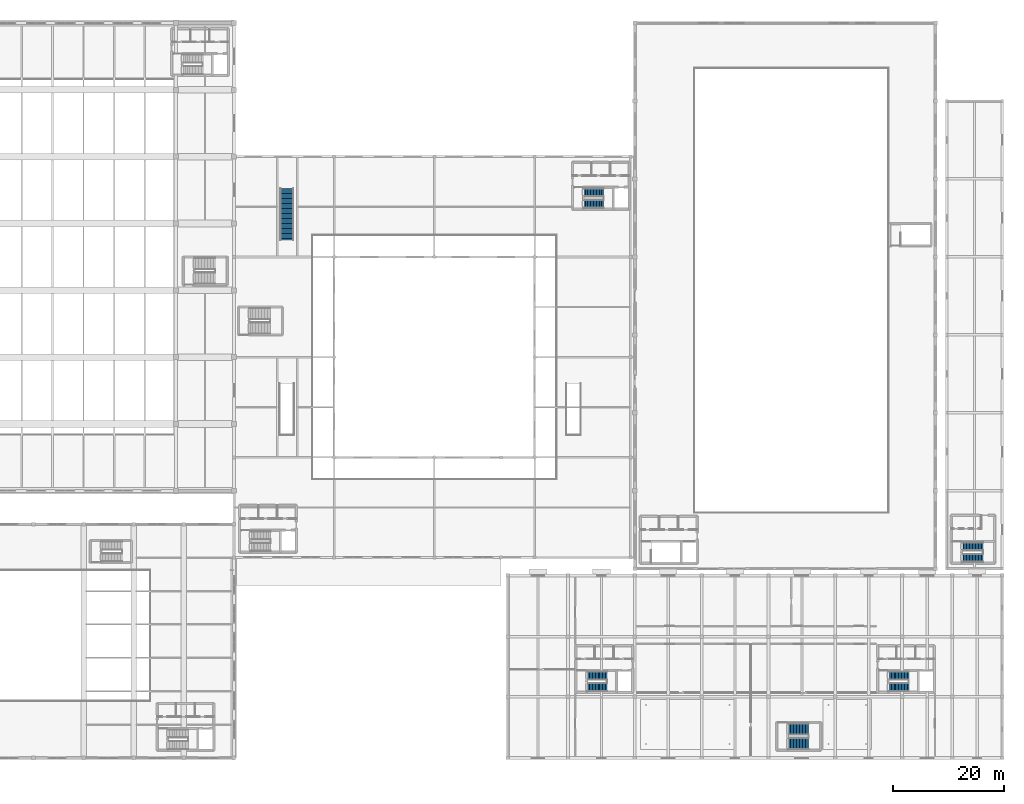
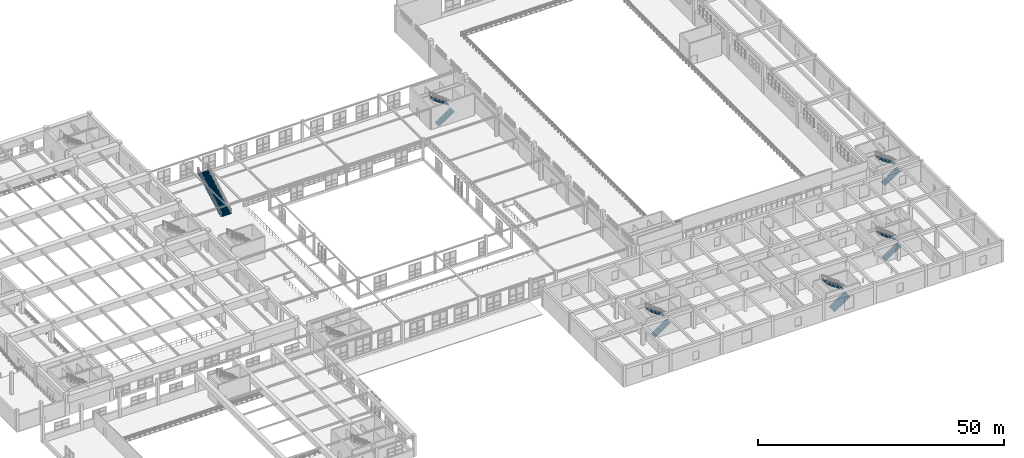
# One storey, part 184 of 197: 11 stair flights, 6 elements without a shape of their own.
"""IFC4 building model written with IfcOpenShell, lengths in metres."""

from ifc_helpers import new_model, si_unit, derived_unit, direction, frame, origin, place, context, subcontext, project, spatial, polyline, outline, extrude, material, type_object, element, aggregate, save


model = new_model("IFC4")

# Units and contexts
model_context = context("Model", 3, precision=1e-05, world=origin(), true_north=direction((0.0, 1.0)))
body_context = subcontext(model_context, "Body", "Model", "MODEL_VIEW")
ifc_project = project(units=[si_unit("LENGTHUNIT", "METRE"), si_unit("AREAUNIT", "SQUARE_METRE"), si_unit("VOLUMEUNIT", "CUBIC_METRE"), si_unit("PLANEANGLEUNIT", "RADIAN"), si_unit("MASSUNIT", "GRAM", prefix="KILO"), derived_unit("THERMALTRANSMITTANCEUNIT", [(si_unit("POWERUNIT", "WATT"), 1), (si_unit("LENGTHUNIT", "METRE"), -2), (si_unit("THERMODYNAMICTEMPERATUREUNIT", "KELVIN"), -1)])], contexts=[model_context])

# Site, building, storey
site_placement = place(None, origin())
site = spatial("IfcSite", under=ifc_project, at=site_placement, CompositionType="ELEMENT")
building_placement = place(site_placement, origin())
building = spatial("IfcBuilding", under=site, at=building_placement, Name="Almenara Railside Exhibition Hall", CompositionType="ELEMENT")
storey_placement = place(building_placement, frame((0.0, 0.0, 5.39990234375)))
storey = spatial("IfcBuildingStorey", under=building, at=storey_placement, Name="L01", CompositionType="ELEMENT", Elevation=5.39990234375)

# Stair, stair flight
ifc_material = material(Name="Concrete C35/45", Category="concrete")
stair_type_1 = type_object("IfcStairType", Name="Concourse Monumental Straight Stair 2400mm", PredefinedType="STRAIGHT_RUN_STAIR", material=ifc_material)
stair_1_placement = place(storey_placement, origin())
stair_1 = element("IfcStair", 1, at=stair_1_placement, inside=storey, type_object=stair_type_1, Name="Monumental concourse stair MS-3", PredefinedType="STRAIGHT_RUN_STAIR")
stair_flight_type_1 = type_object("IfcStairFlightType", Name="Monumental Terrazzo Stair Flight 2400mm C35/45", PredefinedType="STRAIGHT", material=ifc_material)
stair_flight_1_placement = place(storey_placement, frame((75.5, 93.0, 0.0), z_axis=(0.0, 0.0, 1.0), x_axis=(0.0, 1.0, 0.0)))
stair_flight_1 = element("IfcStairFlight", 2, at=stair_flight_1_placement, type_object=stair_flight_type_1, Name="MS-3 flight 1", NumberOfRisers=32, NumberOfTreads=31, PredefinedType="STRAIGHT", RiserHeight=0.16875, TreadLength=0.3, context=body_context, shape_type="SweptSolid", body=[
    extrude(outline(polyline([(0.0, 0.0), (0.0, 0.168701171875), (0.300048828125, 0.168701171875), (0.300048828125, 0.33740234375), (0.60009765625, 0.33740234375), (0.60009765625, 0.50634765625), (0.89990234375, 0.50634765625), (0.89990234375, 0.675048828125), (1.199951171875, 0.675048828125), (1.199951171875, 0.84375), (1.5, 0.84375), (1.5, 1.012451171875), (1.800048828125, 1.012451171875), (1.800048828125, 1.18115234375), (2.10009765625, 1.18115234375), (2.10009765625, 1.35009765625), (2.39990234375, 1.35009765625), (2.39990234375, 1.518798828125), (2.699951171875, 1.518798828125), (2.699951171875, 1.6875), (3.0, 1.6875), (3.0, 1.856201171875), (3.300048828125, 1.856201171875), (3.300048828125, 2.02490234375), (3.60009765625, 2.02490234375), (3.60009765625, 2.19384765625), (3.89990234375, 2.19384765625), (3.89990234375, 2.362548828125), (4.199951171875, 2.362548828125), (4.199951171875, 2.53125), (4.5, 2.53125), (4.5, 2.699951171875), (4.800048828125, 2.699951171875), (4.800048828125, 2.86865234375), (5.10009765625, 2.86865234375), (5.10009765625, 3.03759765625), (5.39990234375, 3.03759765625), (5.39990234375, 3.206298828125), (5.699951171875, 3.206298828125), (5.699951171875, 3.375), (6.0, 3.375), (6.0, 3.543701171875), (6.300048828125, 3.543701171875), (6.300048828125, 3.71240234375), (6.60009765625, 3.71240234375), (6.60009765625, 3.88134765625), (6.89990234375, 3.88134765625), (6.89990234375, 4.050048828125), (7.199951171875, 4.050048828125), (7.199951171875, 4.21875), (7.5, 4.21875), (7.5, 4.387451171875), (7.800048828125, 4.387451171875), (7.800048828125, 4.55615234375), (8.10009765625, 4.55615234375), (8.10009765625, 4.72509765625), (8.39990234375, 4.72509765625), (8.39990234375, 4.893798828125), (8.699951171875, 4.893798828125), (8.699951171875, 5.0625), (9.0, 5.0625), (9.0, 5.231201171875), (9.300048828125, 5.231201171875), (9.300048828125, 5.39990234375), (9.300048828125, 5.059326171875), (0.3056640625, 0.0), (0.0, 0.0)])), frame((0.0, 1.199951171875, 0.0), z_axis=(0.0, -1.0, 0.0), x_axis=(1.0, 0.0, 0.0)), (0.0, 0.0, 1.0), 2.39990234375),
])
aggregate(stair_1, [stair_flight_1])

# Stair, stair flights
stair_type_2 = type_object("IfcStairType", Name="East Core Dog-Leg Stair 1500mm", PredefinedType="TWO_STRAIGHT_RUN_STAIR", material=ifc_material)
stair_2_placement = place(storey_placement, origin())
stair_2 = element("IfcStair", 3, at=stair_2_placement, inside=storey, type_object=stair_type_2, Name="Escape stair ST-C9-L01", PredefinedType="TWO_STRAIGHT_RUN_STAIR")
stair_flight_type_2 = type_object("IfcStairFlightType", Name="Precast Concrete Stair Flight 1500mm C35/45", PredefinedType="STRAIGHT", material=ifc_material)
stair_flight_2_placement = place(storey_placement, frame((196.75, 35.889892578125, 0.0), z_axis=(0.0, 0.0, 1.0), x_axis=(1.0, 0.0, 0.0)))
stair_flight_2 = element("IfcStairFlight", 4, at=stair_flight_2_placement, type_object=stair_flight_type_2, Name="ST-C9-L01 flight 1", NumberOfRisers=15, NumberOfTreads=14, PredefinedType="STRAIGHT", RiserHeight=0.18, TreadLength=0.27, context=body_context, shape_type="SweptSolid", body=[
    extrude(outline(polyline([(0.0, 0.0), (0.0, 0.179931640625), (0.27001953125, 0.179931640625), (0.27001953125, 0.360107421875), (0.5400390625, 0.360107421875), (0.5400390625, 0.5400390625), (0.81005859375, 0.5400390625), (0.81005859375, 0.719970703125), (1.080078125, 0.719970703125), (1.080078125, 0.89990234375), (1.35009765625, 0.89990234375), (1.35009765625, 1.080078125), (1.6201171875, 1.080078125), (1.6201171875, 1.260009765625), (1.889892578125, 1.260009765625), (1.889892578125, 1.43994140625), (2.159912109375, 1.43994140625), (2.159912109375, 1.6201171875), (2.429931640625, 1.6201171875), (2.429931640625, 1.800048828125), (2.699951171875, 1.800048828125), (2.699951171875, 1.97998046875), (2.969970703125, 1.97998046875), (2.969970703125, 2.159912109375), (3.239990234375, 2.159912109375), (3.239990234375, 2.340087890625), (3.510009765625, 2.340087890625), (3.510009765625, 2.52001953125), (3.780029296875, 2.52001953125), (3.780029296875, 2.699951171875), (3.780029296875, 2.33984375), (0.270263671875, 0.0), (0.0, 0.0)])), frame((0.0, 0.75, 0.0), z_axis=(0.0, -1.0, 0.0), x_axis=(1.0, 0.0, 0.0)), (0.0, 0.0, 1.0), 1.5),
])
stair_flight_3_placement = place(storey_placement, frame((200.530029296875, 38.010009765625, 2.7001953125), z_axis=(0.0, 0.0, 1.0), x_axis=(-1.0, 0.0, 0.0)))
stair_flight_3 = element("IfcStairFlight", 5, at=stair_flight_3_placement, type_object=stair_flight_type_2, Name="ST-C9-L01 flight 2", NumberOfRisers=15, NumberOfTreads=14, PredefinedType="STRAIGHT", RiserHeight=0.18, TreadLength=0.27, context=body_context, shape_type="SweptSolid", body=[
    extrude(outline(polyline([(0.0, 0.0), (0.0, 0.179931640625), (0.27001953125, 0.179931640625), (0.27001953125, 0.360107421875), (0.5400390625, 0.360107421875), (0.5400390625, 0.5400390625), (0.81005859375, 0.5400390625), (0.81005859375, 0.719970703125), (1.080078125, 0.719970703125), (1.080078125, 0.89990234375), (1.35009765625, 0.89990234375), (1.35009765625, 1.080078125), (1.6201171875, 1.080078125), (1.6201171875, 1.260009765625), (1.889892578125, 1.260009765625), (1.889892578125, 1.43994140625), (2.159912109375, 1.43994140625), (2.159912109375, 1.6201171875), (2.429931640625, 1.6201171875), (2.429931640625, 1.800048828125), (2.699951171875, 1.800048828125), (2.699951171875, 1.97998046875), (2.969970703125, 1.97998046875), (2.969970703125, 2.159912109375), (3.239990234375, 2.159912109375), (3.239990234375, 2.340087890625), (3.510009765625, 2.340087890625), (3.510009765625, 2.52001953125), (3.780029296875, 2.52001953125), (3.780029296875, 2.699951171875), (3.780029296875, 2.33984375), (0.270263671875, 0.0), (0.0, 0.0)])), frame((0.0, 0.75, 0.0), z_axis=(0.0, -1.0, 0.0), x_axis=(1.0, 0.0, 0.0)), (0.0, 0.0, 1.0), 1.5),
])
aggregate(stair_2, [stair_flight_2, stair_flight_3])

stair_type_3 = type_object("IfcStairType", Name="Core Dog-Leg Escape Stair 1520mm", PredefinedType="TWO_STRAIGHT_RUN_STAIR", material=ifc_material)
stair_3_placement = place(storey_placement, origin())
stair_3 = element("IfcStair", 6, at=stair_3_placement, inside=storey, type_object=stair_type_3, Name="Escape stair ST-C5-L01", PredefinedType="TWO_STRAIGHT_RUN_STAIR")
stair_flight_type_3 = type_object("IfcStairFlightType", Name="Precast Concrete Stair Flight 1520mm C35/45", PredefinedType="STRAIGHT", material=ifc_material)
stair_flight_4_placement = place(storey_placement, frame((129.35009765625, 12.699951171875, 0.0), z_axis=(0.0, 0.0, 1.0), x_axis=(1.0, 0.0, 0.0)))
stair_flight_4 = element("IfcStairFlight", 7, at=stair_flight_4_placement, type_object=stair_flight_type_3, Name="ST-C5-L01 flight 1", NumberOfRisers=15, NumberOfTreads=14, PredefinedType="STRAIGHT", RiserHeight=0.18, TreadLength=0.2607, context=body_context, shape_type="SweptSolid", body=[
    extrude(outline(polyline([(0.0, 0.0), (0.0, 0.179931640625), (0.2607421875, 0.179931640625), (0.2607421875, 0.360107421875), (0.521484375, 0.360107421875), (0.521484375, 0.5400390625), (0.781982421875, 0.5400390625), (0.781982421875, 0.719970703125), (1.042724609375, 0.719970703125), (1.042724609375, 0.89990234375), (1.303466796875, 0.89990234375), (1.303466796875, 1.080078125), (1.564208984375, 1.080078125), (1.564208984375, 1.260009765625), (1.824951171875, 1.260009765625), (1.824951171875, 1.43994140625), (2.085693359375, 1.43994140625), (2.085693359375, 1.6201171875), (2.34619140625, 1.6201171875), (2.34619140625, 1.800048828125), (2.60693359375, 1.800048828125), (2.60693359375, 1.97998046875), (2.86767578125, 1.97998046875), (2.86767578125, 2.159912109375), (3.12841796875, 2.159912109375), (3.12841796875, 2.340087890625), (3.38916015625, 2.340087890625), (3.38916015625, 2.52001953125), (3.64990234375, 2.52001953125), (3.64990234375, 2.699951171875), (3.64990234375, 2.337890625), (0.263916015625, 0.0), (0.0, 0.0)])), frame((0.0, 0.760009765625, 0.0), z_axis=(0.0, -1.0, 0.0), x_axis=(1.0, 0.0, 0.0)), (0.0, 0.0, 1.0), 1.52001953125),
])
stair_flight_5_placement = place(storey_placement, frame((132.999755859375, 14.800048828125, 2.7001953125), z_axis=(0.0, 0.0, 1.0), x_axis=(-1.0, 0.0, 0.0)))
stair_flight_5 = element("IfcStairFlight", 8, at=stair_flight_5_placement, type_object=stair_flight_type_3, Name="ST-C5-L01 flight 2", NumberOfRisers=15, NumberOfTreads=14, PredefinedType="STRAIGHT", RiserHeight=0.18, TreadLength=0.2607, context=body_context, shape_type="SweptSolid", body=[
    extrude(outline(polyline([(0.0, 0.0), (0.0, 0.179931640625), (0.2607421875, 0.179931640625), (0.2607421875, 0.360107421875), (0.521484375, 0.360107421875), (0.521484375, 0.5400390625), (0.781982421875, 0.5400390625), (0.781982421875, 0.719970703125), (1.042724609375, 0.719970703125), (1.042724609375, 0.89990234375), (1.303466796875, 0.89990234375), (1.303466796875, 1.080078125), (1.564208984375, 1.080078125), (1.564208984375, 1.260009765625), (1.824951171875, 1.260009765625), (1.824951171875, 1.43994140625), (2.085693359375, 1.43994140625), (2.085693359375, 1.6201171875), (2.34619140625, 1.6201171875), (2.34619140625, 1.800048828125), (2.60693359375, 1.800048828125), (2.60693359375, 1.97998046875), (2.86767578125, 1.97998046875), (2.86767578125, 2.159912109375), (3.12841796875, 2.159912109375), (3.12841796875, 2.340087890625), (3.38916015625, 2.340087890625), (3.38916015625, 2.52001953125), (3.64990234375, 2.52001953125), (3.64990234375, 2.699951171875), (3.64990234375, 2.337890625), (0.263916015625, 0.0), (0.0, 0.0)])), frame((0.0, 0.760009765625, 0.0), z_axis=(0.0, -1.0, 0.0), x_axis=(1.0, 0.0, 0.0)), (0.0, 0.0, 1.0), 1.52001953125),
])
aggregate(stair_3, [stair_flight_4, stair_flight_5])

stair_4_placement = place(storey_placement, origin())
stair_4 = element("IfcStair", 9, at=stair_4_placement, inside=storey, type_object=stair_type_3, Name="Escape stair ST-C6-L01", PredefinedType="TWO_STRAIGHT_RUN_STAIR")
stair_flight_6_placement = place(storey_placement, frame((183.550048828125, 12.699951171875, 0.0), z_axis=(0.0, 0.0, 1.0), x_axis=(1.0, 0.0, 0.0)))
stair_flight_6 = element("IfcStairFlight", 10, at=stair_flight_6_placement, type_object=stair_flight_type_3, Name="ST-C6-L01 flight 1", NumberOfRisers=15, NumberOfTreads=14, PredefinedType="STRAIGHT", RiserHeight=0.18, TreadLength=0.2607, context=body_context, shape_type="SweptSolid", body=[
    extrude(outline(polyline([(0.0, 0.0), (0.0, 0.179931640625), (0.2607421875, 0.179931640625), (0.2607421875, 0.360107421875), (0.521484375, 0.360107421875), (0.521484375, 0.5400390625), (0.781982421875, 0.5400390625), (0.781982421875, 0.719970703125), (1.042724609375, 0.719970703125), (1.042724609375, 0.89990234375), (1.303466796875, 0.89990234375), (1.303466796875, 1.080078125), (1.564208984375, 1.080078125), (1.564208984375, 1.260009765625), (1.824951171875, 1.260009765625), (1.824951171875, 1.43994140625), (2.085693359375, 1.43994140625), (2.085693359375, 1.6201171875), (2.34619140625, 1.6201171875), (2.34619140625, 1.800048828125), (2.60693359375, 1.800048828125), (2.60693359375, 1.97998046875), (2.86767578125, 1.97998046875), (2.86767578125, 2.159912109375), (3.12841796875, 2.159912109375), (3.12841796875, 2.340087890625), (3.38916015625, 2.340087890625), (3.38916015625, 2.52001953125), (3.64990234375, 2.52001953125), (3.64990234375, 2.699951171875), (3.64990234375, 2.337890625), (0.263916015625, 0.0), (0.0, 0.0)])), frame((0.0, 0.760009765625, 0.0), z_axis=(0.0, -1.0, 0.0), x_axis=(1.0, 0.0, 0.0)), (0.0, 0.0, 1.0), 1.52001953125),
])
stair_flight_7_placement = place(storey_placement, frame((187.19970703125, 14.800048828125, 2.7001953125), z_axis=(0.0, 0.0, 1.0), x_axis=(-1.0, 0.0, 0.0)))
stair_flight_7 = element("IfcStairFlight", 11, at=stair_flight_7_placement, type_object=stair_flight_type_3, Name="ST-C6-L01 flight 2", NumberOfRisers=15, NumberOfTreads=14, PredefinedType="STRAIGHT", RiserHeight=0.18, TreadLength=0.2607, context=body_context, shape_type="SweptSolid", body=[
    extrude(outline(polyline([(0.0, 0.0), (0.0, 0.179931640625), (0.2607421875, 0.179931640625), (0.2607421875, 0.360107421875), (0.521484375, 0.360107421875), (0.521484375, 0.5400390625), (0.781982421875, 0.5400390625), (0.781982421875, 0.719970703125), (1.042724609375, 0.719970703125), (1.042724609375, 0.89990234375), (1.303466796875, 0.89990234375), (1.303466796875, 1.080078125), (1.564208984375, 1.080078125), (1.564208984375, 1.260009765625), (1.824951171875, 1.260009765625), (1.824951171875, 1.43994140625), (2.085693359375, 1.43994140625), (2.085693359375, 1.6201171875), (2.34619140625, 1.6201171875), (2.34619140625, 1.800048828125), (2.60693359375, 1.800048828125), (2.60693359375, 1.97998046875), (2.86767578125, 1.97998046875), (2.86767578125, 2.159912109375), (3.12841796875, 2.159912109375), (3.12841796875, 2.340087890625), (3.38916015625, 2.340087890625), (3.38916015625, 2.52001953125), (3.64990234375, 2.52001953125), (3.64990234375, 2.699951171875), (3.64990234375, 2.337890625), (0.263916015625, 0.0), (0.0, 0.0)])), frame((0.0, 0.760009765625, 0.0), z_axis=(0.0, -1.0, 0.0), x_axis=(1.0, 0.0, 0.0)), (0.0, 0.0, 1.0), 1.52001953125),
])
aggregate(stair_4, [stair_flight_6, stair_flight_7])

stair_5_placement = place(storey_placement, origin())
stair_5 = element("IfcStair", 12, at=stair_5_placement, inside=storey, type_object=stair_type_3, Name="Escape stair ST-C8-L01", PredefinedType="TWO_STRAIGHT_RUN_STAIR")
stair_flight_8_placement = place(storey_placement, frame((128.75, 99.5, 0.0), z_axis=(0.0, 0.0, 1.0), x_axis=(1.0, 0.0, 0.0)))
stair_flight_8 = element("IfcStairFlight", 13, at=stair_flight_8_placement, type_object=stair_flight_type_3, Name="ST-C8-L01 flight 1", NumberOfRisers=15, NumberOfTreads=14, PredefinedType="STRAIGHT", RiserHeight=0.18, TreadLength=0.2607, context=body_context, shape_type="SweptSolid", body=[
    extrude(outline(polyline([(0.0, 0.0), (0.0, 0.179931640625), (0.2607421875, 0.179931640625), (0.2607421875, 0.360107421875), (0.521484375, 0.360107421875), (0.521484375, 0.5400390625), (0.781982421875, 0.5400390625), (0.781982421875, 0.719970703125), (1.042724609375, 0.719970703125), (1.042724609375, 0.89990234375), (1.303466796875, 0.89990234375), (1.303466796875, 1.080078125), (1.564208984375, 1.080078125), (1.564208984375, 1.260009765625), (1.824951171875, 1.260009765625), (1.824951171875, 1.43994140625), (2.085693359375, 1.43994140625), (2.085693359375, 1.6201171875), (2.34619140625, 1.6201171875), (2.34619140625, 1.800048828125), (2.60693359375, 1.800048828125), (2.60693359375, 1.97998046875), (2.86767578125, 1.97998046875), (2.86767578125, 2.159912109375), (3.12841796875, 2.159912109375), (3.12841796875, 2.340087890625), (3.38916015625, 2.340087890625), (3.38916015625, 2.52001953125), (3.64990234375, 2.52001953125), (3.64990234375, 2.699951171875), (3.64990234375, 2.337890625), (0.263916015625, 0.0), (0.0, 0.0)])), frame((0.0, 0.760009765625, 0.0), z_axis=(0.0, -1.0, 0.0), x_axis=(1.0, 0.0, 0.0)), (0.0, 0.0, 1.0), 1.52001953125),
])
stair_flight_9_placement = place(storey_placement, frame((132.39990234375, 101.60009765625, 2.7001953125), z_axis=(0.0, 0.0, 1.0), x_axis=(-1.0, 0.0, 0.0)))
stair_flight_9 = element("IfcStairFlight", 14, at=stair_flight_9_placement, type_object=stair_flight_type_3, Name="ST-C8-L01 flight 2", NumberOfRisers=15, NumberOfTreads=14, PredefinedType="STRAIGHT", RiserHeight=0.18, TreadLength=0.2607, context=body_context, shape_type="SweptSolid", body=[
    extrude(outline(polyline([(0.0, 0.0), (0.0, 0.179931640625), (0.2607421875, 0.179931640625), (0.2607421875, 0.360107421875), (0.521484375, 0.360107421875), (0.521484375, 0.5400390625), (0.781982421875, 0.5400390625), (0.781982421875, 0.719970703125), (1.042724609375, 0.719970703125), (1.042724609375, 0.89990234375), (1.303466796875, 0.89990234375), (1.303466796875, 1.080078125), (1.564208984375, 1.080078125), (1.564208984375, 1.260009765625), (1.824951171875, 1.260009765625), (1.824951171875, 1.43994140625), (2.085693359375, 1.43994140625), (2.085693359375, 1.6201171875), (2.34619140625, 1.6201171875), (2.34619140625, 1.800048828125), (2.60693359375, 1.800048828125), (2.60693359375, 1.97998046875), (2.86767578125, 1.97998046875), (2.86767578125, 2.159912109375), (3.12841796875, 2.159912109375), (3.12841796875, 2.340087890625), (3.38916015625, 2.340087890625), (3.38916015625, 2.52001953125), (3.64990234375, 2.52001953125), (3.64990234375, 2.699951171875), (3.64990234375, 2.337890625), (0.263916015625, 0.0), (0.0, 0.0)])), frame((0.0, 0.760009765625, 0.0), z_axis=(0.0, -1.0, 0.0), x_axis=(1.0, 0.0, 0.0)), (0.0, 0.0, 1.0), 1.52001953125),
])
aggregate(stair_5, [stair_flight_8, stair_flight_9])

stair_type_4 = type_object("IfcStairType", Name="Hall Escape Dog-Leg Stair 2100mm", PredefinedType="TWO_STRAIGHT_RUN_STAIR", material=ifc_material)
stair_6_placement = place(storey_placement, origin())
stair_6 = element("IfcStair", 15, at=stair_6_placement, inside=storey, type_object=stair_type_4, Name="Escape stair HST4-L01", PredefinedType="TWO_STRAIGHT_RUN_STAIR")
stair_flight_type_4 = type_object("IfcStairFlightType", Name="Precast Concrete Stair Flight 2100mm C35/45", PredefinedType="STRAIGHT", material=ifc_material)
stair_flight_10_placement = place(storey_placement, frame((165.449951171875, 2.590087890625, 0.0), z_axis=(0.0, 0.0, 1.0), x_axis=(1.0, 0.0, 0.0)))
stair_flight_10 = element("IfcStairFlight", 16, at=stair_flight_10_placement, type_object=stair_flight_type_4, Name="HST4-L01 flight 1", NumberOfRisers=15, NumberOfTreads=14, PredefinedType="STRAIGHT", RiserHeight=0.18, TreadLength=0.27, context=body_context, shape_type="SweptSolid", body=[
    extrude(outline(polyline([(0.0, 0.0), (0.0, 0.179931640625), (0.27001953125, 0.179931640625), (0.27001953125, 0.360107421875), (0.5400390625, 0.360107421875), (0.5400390625, 0.5400390625), (0.81005859375, 0.5400390625), (0.81005859375, 0.719970703125), (1.080078125, 0.719970703125), (1.080078125, 0.89990234375), (1.35009765625, 0.89990234375), (1.35009765625, 1.080078125), (1.6201171875, 1.080078125), (1.6201171875, 1.260009765625), (1.889892578125, 1.260009765625), (1.889892578125, 1.43994140625), (2.159912109375, 1.43994140625), (2.159912109375, 1.6201171875), (2.429931640625, 1.6201171875), (2.429931640625, 1.800048828125), (2.699951171875, 1.800048828125), (2.699951171875, 1.97998046875), (2.969970703125, 1.97998046875), (2.969970703125, 2.159912109375), (3.239990234375, 2.159912109375), (3.239990234375, 2.340087890625), (3.510009765625, 2.340087890625), (3.510009765625, 2.52001953125), (3.780029296875, 2.52001953125), (3.780029296875, 2.699951171875), (3.780029296875, 2.33984375), (0.270263671875, 0.0), (0.0, 0.0)])), frame((0.0, 1.050048828125, 0.0), z_axis=(0.0, -1.0, 0.0), x_axis=(1.0, 0.0, 0.0)), (0.0, 0.0, 1.0), 2.10009765625),
])
stair_flight_11_placement = place(storey_placement, frame((169.22998046875, 5.2099609375, 2.7001953125), z_axis=(0.0, 0.0, 1.0), x_axis=(-1.0, 0.0, 0.0)))
stair_flight_11 = element("IfcStairFlight", 17, at=stair_flight_11_placement, type_object=stair_flight_type_4, Name="HST4-L01 flight 2", NumberOfRisers=15, NumberOfTreads=14, PredefinedType="STRAIGHT", RiserHeight=0.18, TreadLength=0.27, context=body_context, shape_type="SweptSolid", body=[
    extrude(outline(polyline([(0.0, 0.0), (0.0, 0.179931640625), (0.27001953125, 0.179931640625), (0.27001953125, 0.360107421875), (0.5400390625, 0.360107421875), (0.5400390625, 0.5400390625), (0.81005859375, 0.5400390625), (0.81005859375, 0.719970703125), (1.080078125, 0.719970703125), (1.080078125, 0.89990234375), (1.35009765625, 0.89990234375), (1.35009765625, 1.080078125), (1.6201171875, 1.080078125), (1.6201171875, 1.260009765625), (1.889892578125, 1.260009765625), (1.889892578125, 1.43994140625), (2.159912109375, 1.43994140625), (2.159912109375, 1.6201171875), (2.429931640625, 1.6201171875), (2.429931640625, 1.800048828125), (2.699951171875, 1.800048828125), (2.699951171875, 1.97998046875), (2.969970703125, 1.97998046875), (2.969970703125, 2.159912109375), (3.239990234375, 2.159912109375), (3.239990234375, 2.340087890625), (3.510009765625, 2.340087890625), (3.510009765625, 2.52001953125), (3.780029296875, 2.52001953125), (3.780029296875, 2.699951171875), (3.780029296875, 2.33984375), (0.270263671875, 0.0), (0.0, 0.0)])), frame((0.0, 1.050048828125, 0.0), z_axis=(0.0, -1.0, 0.0), x_axis=(1.0, 0.0, 0.0)), (0.0, 0.0, 1.0), 2.10009765625),
])
aggregate(stair_6, [stair_flight_10, stair_flight_11])

save(model, "model.ifc")
